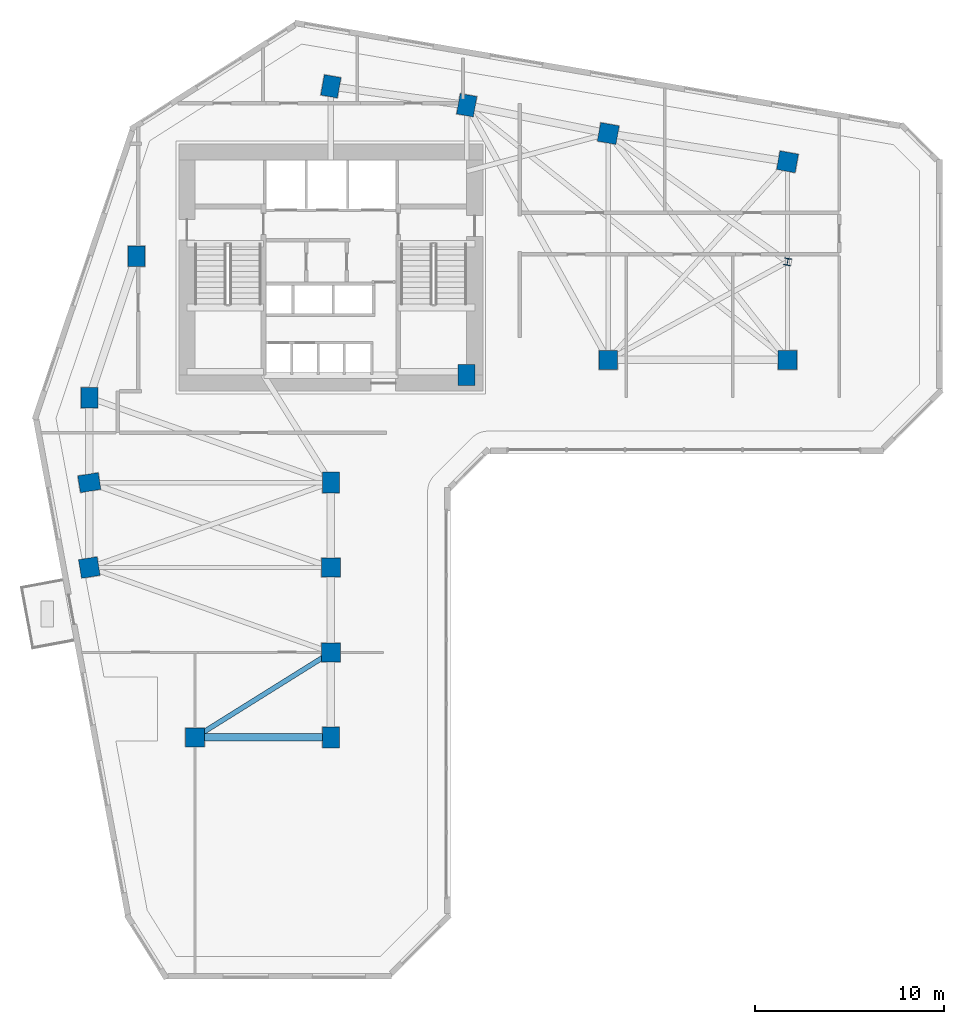
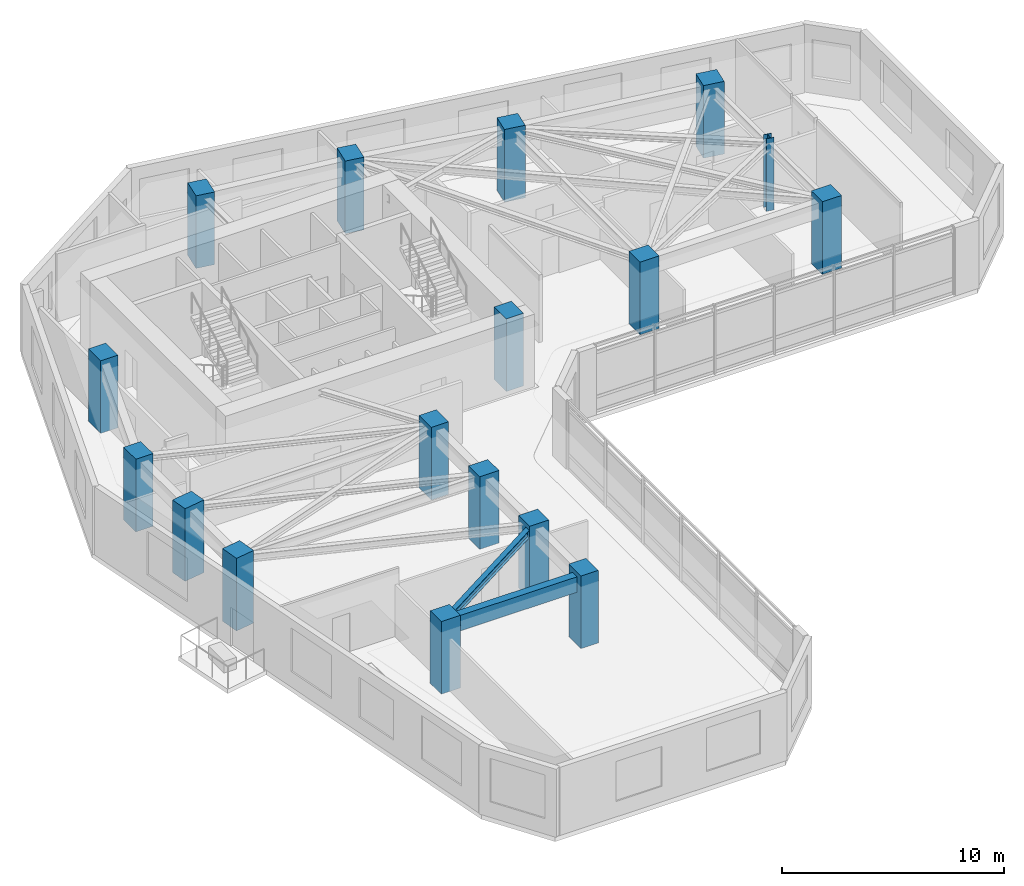
# One storey, part 1 of 9: 17 columns, 2 beams.
"""IFC4 building model written with IfcOpenShell, lengths in metres."""

from ifc_helpers import new_model, si_unit, direction, frame, origin, origin_2d, place, context, subcontext, project, spatial, rectangle, i_section, extrude, source, transform, mapped, material, material_profile, profile_set, type_object, element, save


model = new_model("IFC4")

# Units and contexts
model_context = context("Model", 3, precision=1e-05, world=origin(), true_north=direction((0.0, 1.0)))
body_context = subcontext(model_context, "Body", "Model", "MODEL_VIEW")
ifc_project = project(units=[si_unit("LENGTHUNIT", "METRE"), si_unit("AREAUNIT", "SQUARE_METRE"), si_unit("VOLUMEUNIT", "CUBIC_METRE"), si_unit("PLANEANGLEUNIT", "RADIAN"), si_unit("MASSUNIT", "GRAM", prefix="KILO")], contexts=[model_context])

# Site, building, storey
site_placement = place(None, origin())
site = spatial("IfcSite", under=ifc_project, at=site_placement, CompositionType="ELEMENT")
building_placement = place(site_placement, origin())
building = spatial("IfcBuilding", under=site, at=building_placement, Name="Calvemar Wedge Station Tower", CompositionType="ELEMENT")
storey_placement = place(building_placement, frame((0.0, 0.0, 71.0)))
storey = spatial("IfcBuildingStorey", under=building, at=storey_placement, Name="L17", CompositionType="ELEMENT", Elevation=71.0)

# Columns
ifc_material_1 = material(Name="Concrete C70", Category="concrete")
ifc_material_profile_1 = material_profile(ifc_material_1, rectangle(XDim=0.89990234375, YDim=1.10009765625, at=origin_2d()), Name="RC1100x900")
ifc_profile_set_1 = profile_set([ifc_material_profile_1], Name="Concrete C70")
column_type_1 = type_object("IfcColumnType", Name="COL-C3-1100x900", PredefinedType="COLUMN", material=ifc_profile_set_1)
shared_shape_1 = source(origin(), body_context, "Body", "SweptSolid", [
    extrude(rectangle(XDim=0.89990234375, YDim=1.10009765625, at=origin_2d()), origin(), (0.0, 0.0, 1.0), 4.0),
])
for number, where, z_axis, x_axis, name in (
    (1, (11.0, 33.0, 0.0), (0.0, 0.0, 1.0), (1.0, 0.0, 0.0), "Storey L17 Column T-NW1"),
    (2, (13.5, 40.5, 0.0), (0.0, 0.0, 1.0), (1.0, 0.0, 0.0), "Storey L17 Column T-NW2"),
    (3, (23.800048828125, 49.5, 0.0), (0.0, 0.0, 1.0), (0.984195607969, -0.17708474032, 0.0), "Storey L17 Column T-N1"),
    (4, (31.0, 48.5, 0.0), (0.0, 0.0, 1.0), (0.984195607969, -0.17708474032, 0.0), "Storey L17 Column T-N2"),
    (5, (31.0, 34.199951171875, 0.0), (0.0, 0.0, 1.0), (1.0, 0.0, 0.0), "Storey L17 Column T-NL1"),
    (6, (11.0, 28.5, 0.0), (0.0, 0.0, 1.0), (0.158158067254, -0.987413806751, 0.0), "Storey L17 Column T-SW1"),
    (7, (23.800048828125, 28.5, 0.0), (0.0, 0.0, 1.0), (1.0, 0.0, 0.0), "Storey L17 Column T-SE1"),
    (8, (23.800048828125, 15.0, 0.0), (0.0, 0.0, 1.0), (1.0, 0.0, 0.0), "Storey L17 Column T-SE4"),
):
    element("IfcColumn", number, at=place(storey_placement, frame(where, z_axis=z_axis, x_axis=x_axis)), inside=storey, type_object=column_type_1, Name=name, PredefinedType="COLUMN", context=body_context, shape_type="MappedRepresentation", body=[
        mapped(shared_shape_1, transform((0.0, 0.0, 0.0), scale=1.0)),
    ])
ifc_material_2 = material(Name="Concrete C60", Category="concrete")
ifc_material_profile_2 = material_profile(ifc_material_2, rectangle(XDim=1.0, YDim=1.0, at=origin_2d()), Name="RC1000x1000")
ifc_profile_set_2 = profile_set([ifc_material_profile_2], Name="Concrete C60")
column_type_2 = type_object("IfcColumnType", Name="COL-C4-1000", PredefinedType="COLUMN", material=ifc_profile_set_2)
shared_shape_2 = source(origin(), body_context, "Body", "SweptSolid", [
    extrude(rectangle(XDim=1.0, YDim=1.0, at=origin_2d()), origin(), (0.0, 0.0, 1.0), 4.0),
])
for number, where, z_axis, x_axis, name in (
    (9, (38.5, 47.0, 0.0), (0.0, 0.0, 1.0), (0.984195607969, -0.17708474032, 0.0), "Storey L17 Column T-NU3"),
    (10, (48.0, 45.5, 0.0), (0.0, 0.0, 1.0), (0.984195607969, -0.17708474032, 0.0), "Storey L17 Column T-NU4"),
    (11, (38.5, 35.0, 0.0), (0.0, 0.0, 1.0), (1.0, 0.0, 0.0), "Storey L17 Column T-NL2"),
    (12, (48.0, 35.0, 0.0), (0.0, 0.0, 1.0), (1.0, 0.0, 0.0), "Storey L17 Column T-NL3"),
    (13, (11.0, 24.0, 0.0), (0.0, 0.0, 1.0), (0.158158067254, -0.987413806751, 0.0), "Storey L17 Column T-SW2"),
    (14, (23.800048828125, 24.0, 0.0), (0.0, 0.0, 1.0), (1.0, 0.0, 0.0), "Storey L17 Column T-SE2"),
    (15, (23.800048828125, 19.5, 0.0), (0.0, 0.0, 1.0), (1.0, 0.0, 0.0), "Storey L17 Column T-SE3"),
    (16, (16.60009765625, 15.0, 0.0), (0.0, 0.0, 1.0), (1.0, 0.0, 0.0), "Storey L17 Column T-SM1"),
):
    element("IfcColumn", number, at=place(storey_placement, frame(where, z_axis=z_axis, x_axis=x_axis)), inside=storey, type_object=column_type_2, Name=name, PredefinedType="COLUMN", context=body_context, shape_type="MappedRepresentation", body=[
        mapped(shared_shape_2, transform((0.0, 0.0, 0.0), scale=1.0)),
    ])
ifc_material_3 = material(Name="Structural steel ASTM A572 Grade 50", Category="steel")
ifc_material_profile_3 = material_profile(ifc_material_3, i_section(OverallWidth=0.3740234375, OverallDepth=0.3720703125, WebThickness=0.016357421875, FlangeThickness=0.026123046875, FilletRadius=0.014892578125, at=origin_2d()), Name="W360x196")
ifc_profile_set_3 = profile_set([ifc_material_profile_3], Name="Structural steel ASTM A572 Grade 50")
column_type_3 = type_object("IfcColumnType", Name="COL-STL-W360", PredefinedType="COLUMN", material=ifc_profile_set_3)
shared_shape_3 = source(origin(), body_context, "Body", "SweptSolid", [
    extrude(i_section(OverallWidth=0.3740234375, OverallDepth=0.3720703125, WebThickness=0.016357421875, FlangeThickness=0.026123046875, FilletRadius=0.014892578125, at=origin_2d()), origin(), (0.0, 0.0, 1.0), 4.0),
])
column_placement = place(storey_placement, frame((48.0, 40.199951171875, 0.0), z_axis=(0.0, 0.0, 1.0), x_axis=(0.984195607969, -0.17708474032, 0.0)))
element("IfcColumn", 17, at=column_placement, inside=storey, type_object=column_type_3, Name="Storey L17 Column T-NTIP-A", PredefinedType="COLUMN", context=body_context, shape_type="MappedRepresentation", body=[
    mapped(shared_shape_3, transform((0.0, 0.0, 0.0), scale=1.0)),
])

# Beams
ifc_material_profile_4 = material_profile(ifc_material_2, rectangle(XDim=0.39990234375, YDim=0.85009765625, at=origin_2d()), Name="RC400x850")
ifc_profile_set_4 = profile_set([ifc_material_profile_4], Name="Concrete C60")
beam_type_1 = type_object("IfcBeamType", Name="BM-SP1-850", PredefinedType="SPANDREL", material=ifc_profile_set_4)
shared_shape_4 = source(origin(), body_context, "Body", "SweptSolid", [
    extrude(rectangle(XDim=0.39990234375, YDim=0.85009765625, at=origin_2d()), origin(), (0.0, 0.0, 1.0), 7.199951171875),
])
beam_1_placement = place(storey_placement, frame((16.60009765625, 15.0, 3.324951171875), z_axis=(1.0, 0.0, 0.0), x_axis=(0.0, 1.0, 0.0)))
element("IfcBeam", 18, at=beam_1_placement, inside=storey, type_object=beam_type_1, Name="Storey L17 Spandrel T-SM1-T-SE4", PredefinedType="SPANDREL", context=body_context, shape_type="MappedRepresentation", body=[
    mapped(shared_shape_4, transform((0.0, 0.0, 0.0), scale=1.0)),
])
ifc_material_profile_5 = material_profile(ifc_material_3, i_section(OverallWidth=0.260986328125, OverallDepth=0.419921875, WebThickness=0.01171875, FlangeThickness=0.019287109375, FilletRadius=0.012939453125, at=origin_2d()), Name="W410x114")
ifc_profile_set_5 = profile_set([ifc_material_profile_5], Name="Structural steel ASTM A572 Grade 50")
beam_type_2 = type_object("IfcBeamType", Name="BM-J2-W410H", PredefinedType="JOIST", material=ifc_profile_set_5)
shared_shape_5 = source(origin(), body_context, "Body", "SweptSolid", [
    extrude(i_section(OverallWidth=0.260986328125, OverallDepth=0.419921875, WebThickness=0.01171875, FlangeThickness=0.019287109375, FilletRadius=0.012939453125, at=origin_2d()), origin(), (0.0, 0.0, 1.0), 8.490478515625),
])
beam_2_placement = place(storey_placement, frame((23.800048828125, 19.5, 3.5400390625), z_axis=(-0.847996688584, -0.530001524668, 0.0), x_axis=(0.530001524668, -0.847996688584, 0.0)))
element("IfcBeam", 19, at=beam_2_placement, inside=storey, type_object=beam_type_2, Name="Storey L17 Floor Beam T-SE3-T-SM1", PredefinedType="JOIST", context=body_context, shape_type="MappedRepresentation", body=[
    mapped(shared_shape_5, transform((0.0, 0.0, 0.0), scale=1.0)),
])

save(model, "model.ifc")
